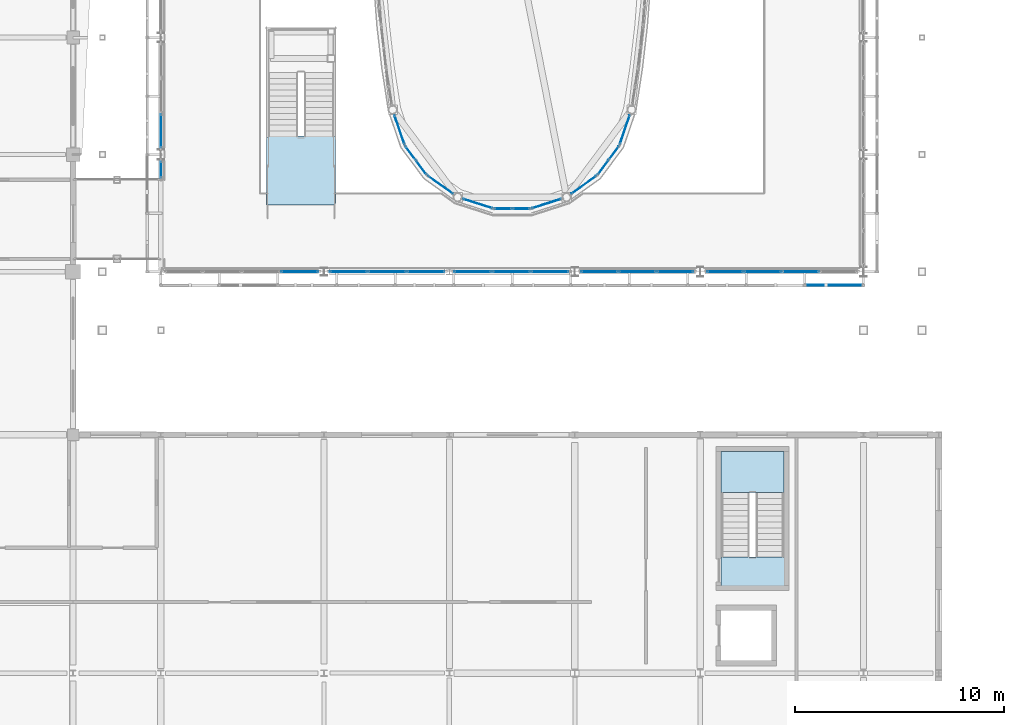
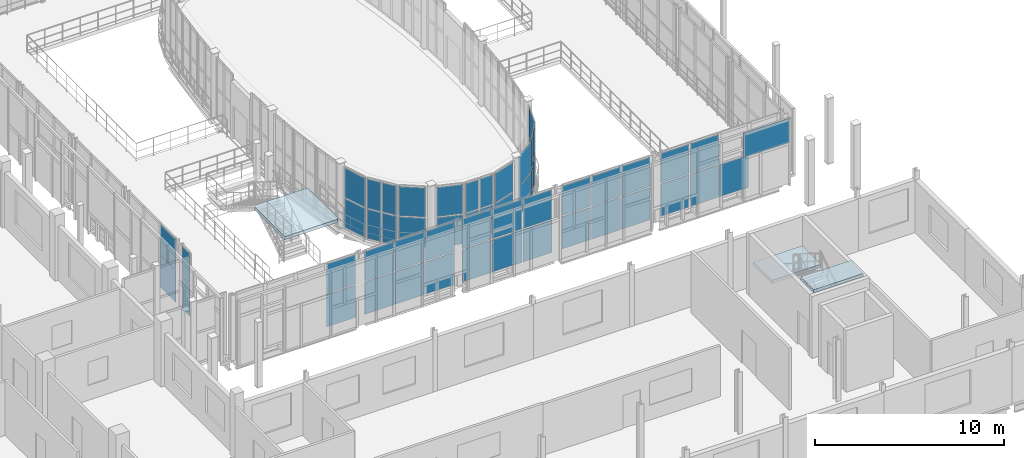
# One storey, part 80 of 121: 54 plates, 3 slabs, 18 elements without a shape of their own.
"""IFC4 building model written with IfcOpenShell, lengths in metres."""

from ifc_helpers import new_model, si_unit, direction, frame, origin, origin_2d, place, context, subcontext, project, spatial, polyline, rectangle, outline, extrude, material, layer, layer_set, type_object, element, aggregate, save


model = new_model("IFC4")

# Units and contexts
model_context = context("Model", 3, precision=1e-05, world=origin(), true_north=direction((0.0, 1.0)))
body_context = subcontext(model_context, "Body", "Model", "MODEL_VIEW")
ifc_project = project(units=[si_unit("LENGTHUNIT", "METRE"), si_unit("AREAUNIT", "SQUARE_METRE"), si_unit("VOLUMEUNIT", "CUBIC_METRE"), si_unit("PLANEANGLEUNIT", "RADIAN"), si_unit("MASSUNIT", "GRAM", prefix="KILO")], contexts=[model_context])

# Site, building, storey
site_placement = place(None, origin())
site = spatial("IfcSite", under=ifc_project, at=site_placement, CompositionType="ELEMENT")
building_placement = place(site_placement, origin())
building = spatial("IfcBuilding", under=site, at=building_placement, Name="Vinh Khe Railworks Police Headquarters", CompositionType="ELEMENT")
storey_placement = place(building_placement, frame((0.0, 0.0, 4.800048828125)))
storey = spatial("IfcBuildingStorey", under=building, at=storey_placement, Name="L01", CompositionType="ELEMENT", Elevation=4.800048828125)

# Curtain wall, plates
ifc_material_1 = material(Name="Anodised aluminium and acoustic laminated glass", Category="aluminium")
ifc_layer_1 = layer(ifc_material_1, 0.159912109375)
ifc_layer_set_1 = layer_set([ifc_layer_1], Name="Anodised aluminium and acoustic laminated glass")
curtain_wall_type_1 = type_object("IfcCurtainWallType", Name="CW-DRUM-CHORD", PredefinedType="USERDEFINED", material=ifc_layer_set_1)
curtain_wall_1_placement = place(storey_placement, origin())
curtain_wall_1 = element("IfcCurtainWall", 1, at=curtain_wall_1_placement, inside=storey, type_object=curtain_wall_type_1, Name="Elliptical Command Drum Glazing L01 Chord 28", ObjectType="DRUM FACADE GLAZING", PredefinedType="USERDEFINED")
ifc_material_2 = material(Name="Acoustic laminated solar-control glass", Category="glass")
ifc_layer_2 = layer(ifc_material_2, 0.031982421875)
ifc_layer_set_2 = layer_set([ifc_layer_2], Name="Acoustic laminated solar-control glass")
plate_type_1 = type_object("IfcPlateType", Name="PAN-DRUM-32", PredefinedType="CURTAIN_PANEL", material=ifc_layer_set_2)
plate_1_placement = place(storey_placement, frame((37.8125, 31.989501953125, 0.06494140625), z_axis=(0.0, 0.0, 1.0), x_axis=(0.322750407381, -0.946484112141, 0.0)))
plate_1 = element("IfcPlate", 2, at=plate_1_placement, type_object=plate_type_1, Name="CW-02 panel 1.1", PredefinedType="CURTAIN_PANEL", context=body_context, shape_type="SweptSolid", body=[
    extrude(rectangle(XDim=1.440673828125, YDim=0.031982421875, at=origin_2d()), origin(), (0.0, 0.0, 1.0), 1.887451171875),
])
plate_2_placement = place(storey_placement, frame((37.8125, 31.989501953125, 2.017578125), z_axis=(0.0, 0.0, 1.0), x_axis=(0.322750407381, -0.946484112141, 0.0)))
plate_2 = element("IfcPlate", 3, at=plate_2_placement, type_object=plate_type_1, Name="CW-02 panel 1.2", PredefinedType="CURTAIN_PANEL", context=body_context, shape_type="SweptSolid", body=[
    extrude(rectangle(XDim=1.440673828125, YDim=0.031982421875, at=origin_2d()), origin(), (0.0, 0.0, 1.0), 1.887451171875),
])
aggregate(curtain_wall_1, [plate_1, plate_2])

curtain_wall_2_placement = place(storey_placement, origin())
curtain_wall_2 = element("IfcCurtainWall", 4, at=curtain_wall_2_placement, inside=storey, type_object=curtain_wall_type_1, Name="Elliptical Command Drum Glazing L01 Chord 29", ObjectType="DRUM FACADE GLAZING", PredefinedType="USERDEFINED")
plate_3_placement = place(storey_placement, frame((38.34326171875, 30.873291015625, 0.06494140625), z_axis=(0.0, 0.0, 1.0), x_axis=(0.596528425784, -0.802591949394, 0.0)))
plate_3 = element("IfcPlate", 5, at=plate_3_placement, type_object=plate_type_1, Name="CW-02 panel 1.1", PredefinedType="CURTAIN_PANEL", context=body_context, shape_type="SweptSolid", body=[
    extrude(rectangle(XDim=0.799560546875, YDim=0.031982421875, at=origin_2d()), origin(), (0.0, 0.0, 1.0), 1.887451171875),
])
plate_4_placement = place(storey_placement, frame((38.34326171875, 30.873291015625, 2.017578125), z_axis=(0.0, 0.0, 1.0), x_axis=(0.596528425784, -0.802591949394, 0.0)))
plate_4 = element("IfcPlate", 6, at=plate_4_placement, type_object=plate_type_1, Name="CW-02 panel 1.2", PredefinedType="CURTAIN_PANEL", context=body_context, shape_type="SweptSolid", body=[
    extrude(rectangle(XDim=0.799560546875, YDim=0.031982421875, at=origin_2d()), origin(), (0.0, 0.0, 1.0), 1.887451171875),
])
plate_5_placement = place(storey_placement, frame((38.85888671875, 30.179443359375, 0.06494140625), z_axis=(0.0, 0.0, 1.0), x_axis=(0.596528425784, -0.802591949394, 0.0)))
plate_5 = element("IfcPlate", 7, at=plate_5_placement, type_object=plate_type_1, Name="CW-02 panel 2.1", PredefinedType="CURTAIN_PANEL", context=body_context, shape_type="SweptSolid", body=[
    extrude(rectangle(XDim=0.799560546875, YDim=0.031982421875, at=origin_2d()), origin(), (0.0, 0.0, 1.0), 1.887451171875),
])
plate_6_placement = place(storey_placement, frame((38.85888671875, 30.179443359375, 2.017578125), z_axis=(0.0, 0.0, 1.0), x_axis=(0.596528425784, -0.802591949394, 0.0)))
plate_6 = element("IfcPlate", 8, at=plate_6_placement, type_object=plate_type_1, Name="CW-02 panel 2.2", PredefinedType="CURTAIN_PANEL", context=body_context, shape_type="SweptSolid", body=[
    extrude(rectangle(XDim=0.799560546875, YDim=0.031982421875, at=origin_2d()), origin(), (0.0, 0.0, 1.0), 1.887451171875),
])
aggregate(curtain_wall_2, [plate_3, plate_4, plate_5, plate_6])

curtain_wall_3_placement = place(storey_placement, origin())
curtain_wall_3 = element("IfcCurtainWall", 9, at=curtain_wall_3_placement, inside=storey, type_object=curtain_wall_type_1, Name="Elliptical Command Drum Glazing L01 Chord 30", ObjectType="DRUM FACADE GLAZING", PredefinedType="USERDEFINED")
plate_7_placement = place(storey_placement, frame((39.774658203125, 29.349365234375, 0.06494140625), z_axis=(0.0, 0.0, 1.0), x_axis=(0.813248377558, -0.581916726344, 0.0)))
plate_7 = element("IfcPlate", 10, at=plate_7_placement, type_object=plate_type_1, Name="CW-02 panel 1.1", PredefinedType="CURTAIN_PANEL", context=body_context, shape_type="SweptSolid", body=[
    extrude(rectangle(XDim=1.440673828125, YDim=0.031982421875, at=origin_2d()), origin(), (0.0, 0.0, 1.0), 1.887451171875),
])
plate_8_placement = place(storey_placement, frame((39.774658203125, 29.349365234375, 2.017578125), z_axis=(0.0, 0.0, 1.0), x_axis=(0.813248377558, -0.581916726344, 0.0)))
plate_8 = element("IfcPlate", 11, at=plate_8_placement, type_object=plate_type_1, Name="CW-02 panel 1.2", PredefinedType="CURTAIN_PANEL", context=body_context, shape_type="SweptSolid", body=[
    extrude(rectangle(XDim=1.440673828125, YDim=0.031982421875, at=origin_2d()), origin(), (0.0, 0.0, 1.0), 1.887451171875),
])
aggregate(curtain_wall_3, [plate_7, plate_8])

curtain_wall_4_placement = place(storey_placement, origin())
curtain_wall_4 = element("IfcCurtainWall", 12, at=curtain_wall_4_placement, inside=storey, type_object=curtain_wall_type_1, Name="Elliptical Command Drum Glazing L01 Chord 31", ObjectType="DRUM FACADE GLAZING", PredefinedType="USERDEFINED")
plate_9_placement = place(storey_placement, frame((41.55517578125, 28.454345703125, 0.06494140625), z_axis=(0.0, 0.0, 1.0), x_axis=(0.952167898055, -0.305575348994, 0.0)))
plate_9 = element("IfcPlate", 13, at=plate_9_placement, type_object=plate_type_1, Name="CW-02 panel 1.1", PredefinedType="CURTAIN_PANEL", context=body_context, shape_type="SweptSolid", body=[
    extrude(rectangle(XDim=1.440673828125, YDim=0.031982421875, at=origin_2d()), origin(), (0.0, 0.0, 1.0), 1.887451171875),
])
plate_10_placement = place(storey_placement, frame((41.55517578125, 28.454345703125, 2.017578125), z_axis=(0.0, 0.0, 1.0), x_axis=(0.952167898055, -0.305575348994, 0.0)))
plate_10 = element("IfcPlate", 14, at=plate_10_placement, type_object=plate_type_1, Name="CW-02 panel 1.2", PredefinedType="CURTAIN_PANEL", context=body_context, shape_type="SweptSolid", body=[
    extrude(rectangle(XDim=1.440673828125, YDim=0.031982421875, at=origin_2d()), origin(), (0.0, 0.0, 1.0), 1.887451171875),
])
aggregate(curtain_wall_4, [plate_9, plate_10])

curtain_wall_5_placement = place(storey_placement, origin())
curtain_wall_5 = element("IfcCurtainWall", 15, at=curtain_wall_5_placement, inside=storey, type_object=curtain_wall_type_1, Name="Elliptical Command Drum Glazing L01 Chord 32", ObjectType="DRUM FACADE GLAZING", PredefinedType="USERDEFINED")
plate_11_placement = place(storey_placement, frame((42.767822265625, 28.21435546875, 0.06494140625), z_axis=(0.0, 0.0, 1.0), x_axis=(1.0, 0.0, 0.0)))
plate_11 = element("IfcPlate", 16, at=plate_11_placement, type_object=plate_type_1, Name="CW-02 panel 1.1", PredefinedType="CURTAIN_PANEL", context=body_context, shape_type="SweptSolid", body=[
    extrude(rectangle(XDim=0.799560546875, YDim=0.031982421875, at=origin_2d()), origin(), (0.0, 0.0, 1.0), 1.887451171875),
])
plate_12_placement = place(storey_placement, frame((42.767822265625, 28.21435546875, 2.017578125), z_axis=(0.0, 0.0, 1.0), x_axis=(1.0, 0.0, 0.0)))
plate_12 = element("IfcPlate", 17, at=plate_12_placement, type_object=plate_type_1, Name="CW-02 panel 1.2", PredefinedType="CURTAIN_PANEL", context=body_context, shape_type="SweptSolid", body=[
    extrude(rectangle(XDim=0.799560546875, YDim=0.031982421875, at=origin_2d()), origin(), (0.0, 0.0, 1.0), 1.887451171875),
])
plate_13_placement = place(storey_placement, frame((43.63232421875, 28.21435546875, 0.06494140625), z_axis=(0.0, 0.0, 1.0), x_axis=(1.0, 0.0, 0.0)))
plate_13 = element("IfcPlate", 18, at=plate_13_placement, type_object=plate_type_1, Name="CW-02 panel 2.1", PredefinedType="CURTAIN_PANEL", context=body_context, shape_type="SweptSolid", body=[
    extrude(rectangle(XDim=0.799560546875, YDim=0.031982421875, at=origin_2d()), origin(), (0.0, 0.0, 1.0), 1.887451171875),
])
plate_14_placement = place(storey_placement, frame((43.63232421875, 28.21435546875, 2.017578125), z_axis=(0.0, 0.0, 1.0), x_axis=(1.0, 0.0, 0.0)))
plate_14 = element("IfcPlate", 19, at=plate_14_placement, type_object=plate_type_1, Name="CW-02 panel 2.2", PredefinedType="CURTAIN_PANEL", context=body_context, shape_type="SweptSolid", body=[
    extrude(rectangle(XDim=0.799560546875, YDim=0.031982421875, at=origin_2d()), origin(), (0.0, 0.0, 1.0), 1.887451171875),
])
aggregate(curtain_wall_5, [plate_11, plate_12, plate_13, plate_14])

curtain_wall_6_placement = place(storey_placement, origin())
curtain_wall_6 = element("IfcCurtainWall", 20, at=curtain_wall_6_placement, inside=storey, type_object=curtain_wall_type_1, Name="Elliptical Command Drum Glazing L01 Chord 33", ObjectType="DRUM FACADE GLAZING", PredefinedType="USERDEFINED")
plate_15_placement = place(storey_placement, frame((44.8447265625, 28.454345703125, 0.06494140625), z_axis=(0.0, 0.0, 1.0), x_axis=(0.952167898055, 0.305575348994, 0.0)))
plate_15 = element("IfcPlate", 21, at=plate_15_placement, type_object=plate_type_1, Name="CW-02 panel 1.1", PredefinedType="CURTAIN_PANEL", context=body_context, shape_type="SweptSolid", body=[
    extrude(rectangle(XDim=1.440673828125, YDim=0.031982421875, at=origin_2d()), origin(), (0.0, 0.0, 1.0), 1.887451171875),
])
plate_16_placement = place(storey_placement, frame((44.8447265625, 28.454345703125, 2.017578125), z_axis=(0.0, 0.0, 1.0), x_axis=(0.952167898055, 0.305575348994, 0.0)))
plate_16 = element("IfcPlate", 22, at=plate_16_placement, type_object=plate_type_1, Name="CW-02 panel 1.2", PredefinedType="CURTAIN_PANEL", context=body_context, shape_type="SweptSolid", body=[
    extrude(rectangle(XDim=1.440673828125, YDim=0.031982421875, at=origin_2d()), origin(), (0.0, 0.0, 1.0), 1.887451171875),
])
aggregate(curtain_wall_6, [plate_15, plate_16])

curtain_wall_7_placement = place(storey_placement, origin())
curtain_wall_7 = element("IfcCurtainWall", 23, at=curtain_wall_7_placement, inside=storey, type_object=curtain_wall_type_1, Name="Elliptical Command Drum Glazing L01 Chord 34", ObjectType="DRUM FACADE GLAZING", PredefinedType="USERDEFINED")
plate_17_placement = place(storey_placement, frame((46.625244140625, 29.349365234375, 0.06494140625), z_axis=(0.0, 0.0, 1.0), x_axis=(0.813248377558, 0.581916726344, 0.0)))
plate_17 = element("IfcPlate", 24, at=plate_17_placement, type_object=plate_type_1, Name="CW-02 panel 1.1", PredefinedType="CURTAIN_PANEL", context=body_context, shape_type="SweptSolid", body=[
    extrude(rectangle(XDim=1.440673828125, YDim=0.031982421875, at=origin_2d()), origin(), (0.0, 0.0, 1.0), 1.887451171875),
])
plate_18_placement = place(storey_placement, frame((46.625244140625, 29.349365234375, 2.017578125), z_axis=(0.0, 0.0, 1.0), x_axis=(0.813248377558, 0.581916726344, 0.0)))
plate_18 = element("IfcPlate", 25, at=plate_18_placement, type_object=plate_type_1, Name="CW-02 panel 1.2", PredefinedType="CURTAIN_PANEL", context=body_context, shape_type="SweptSolid", body=[
    extrude(rectangle(XDim=1.440673828125, YDim=0.031982421875, at=origin_2d()), origin(), (0.0, 0.0, 1.0), 1.887451171875),
])
aggregate(curtain_wall_7, [plate_17, plate_18])

curtain_wall_8_placement = place(storey_placement, origin())
curtain_wall_8 = element("IfcCurtainWall", 26, at=curtain_wall_8_placement, inside=storey, type_object=curtain_wall_type_1, Name="Elliptical Command Drum Glazing L01 Chord 35", ObjectType="DRUM FACADE GLAZING", PredefinedType="USERDEFINED")
plate_19_placement = place(storey_placement, frame((47.541259765625, 30.179443359375, 0.06494140625), z_axis=(0.0, 0.0, 1.0), x_axis=(0.596528425784, 0.802591949394, 0.0)))
plate_19 = element("IfcPlate", 27, at=plate_19_placement, type_object=plate_type_1, Name="CW-02 panel 1.1", PredefinedType="CURTAIN_PANEL", context=body_context, shape_type="SweptSolid", body=[
    extrude(rectangle(XDim=0.799560546875, YDim=0.031982421875, at=origin_2d()), origin(), (0.0, 0.0, 1.0), 1.887451171875),
])
plate_20_placement = place(storey_placement, frame((47.541259765625, 30.179443359375, 2.017578125), z_axis=(0.0, 0.0, 1.0), x_axis=(0.596528425784, 0.802591949394, 0.0)))
plate_20 = element("IfcPlate", 28, at=plate_20_placement, type_object=plate_type_1, Name="CW-02 panel 1.2", PredefinedType="CURTAIN_PANEL", context=body_context, shape_type="SweptSolid", body=[
    extrude(rectangle(XDim=0.799560546875, YDim=0.031982421875, at=origin_2d()), origin(), (0.0, 0.0, 1.0), 1.887451171875),
])
plate_21_placement = place(storey_placement, frame((48.056884765625, 30.873291015625, 0.06494140625), z_axis=(0.0, 0.0, 1.0), x_axis=(0.596528425784, 0.802591949394, 0.0)))
plate_21 = element("IfcPlate", 29, at=plate_21_placement, type_object=plate_type_1, Name="CW-02 panel 2.1", PredefinedType="CURTAIN_PANEL", context=body_context, shape_type="SweptSolid", body=[
    extrude(rectangle(XDim=0.799560546875, YDim=0.031982421875, at=origin_2d()), origin(), (0.0, 0.0, 1.0), 1.887451171875),
])
plate_22_placement = place(storey_placement, frame((48.056884765625, 30.873291015625, 2.017578125), z_axis=(0.0, 0.0, 1.0), x_axis=(0.596528425784, 0.802591949394, 0.0)))
plate_22 = element("IfcPlate", 30, at=plate_22_placement, type_object=plate_type_1, Name="CW-02 panel 2.2", PredefinedType="CURTAIN_PANEL", context=body_context, shape_type="SweptSolid", body=[
    extrude(rectangle(XDim=0.799560546875, YDim=0.031982421875, at=origin_2d()), origin(), (0.0, 0.0, 1.0), 1.887451171875),
])
aggregate(curtain_wall_8, [plate_19, plate_20, plate_21, plate_22])

curtain_wall_9_placement = place(storey_placement, origin())
curtain_wall_9 = element("IfcCurtainWall", 31, at=curtain_wall_9_placement, inside=storey, type_object=curtain_wall_type_1, Name="Elliptical Command Drum Glazing L01 Chord 36", ObjectType="DRUM FACADE GLAZING", PredefinedType="USERDEFINED")
plate_23_placement = place(storey_placement, frame((48.587646484375, 31.989501953125, 0.06494140625), z_axis=(0.0, 0.0, 1.0), x_axis=(0.322750407381, 0.946484112141, 0.0)))
plate_23 = element("IfcPlate", 32, at=plate_23_placement, type_object=plate_type_1, Name="CW-02 panel 1.1", PredefinedType="CURTAIN_PANEL", context=body_context, shape_type="SweptSolid", body=[
    extrude(rectangle(XDim=1.440673828125, YDim=0.031982421875, at=origin_2d()), origin(), (0.0, 0.0, 1.0), 1.887451171875),
])
plate_24_placement = place(storey_placement, frame((48.587646484375, 31.989501953125, 2.017578125), z_axis=(0.0, 0.0, 1.0), x_axis=(0.322750407381, 0.946484112141, 0.0)))
plate_24 = element("IfcPlate", 33, at=plate_24_placement, type_object=plate_type_1, Name="CW-02 panel 1.2", PredefinedType="CURTAIN_PANEL", context=body_context, shape_type="SweptSolid", body=[
    extrude(rectangle(XDim=1.440673828125, YDim=0.031982421875, at=origin_2d()), origin(), (0.0, 0.0, 1.0), 1.887451171875),
])
aggregate(curtain_wall_9, [plate_23, plate_24])

ifc_material_3 = material(Name="Anodised aluminium and low-iron glass", Category="aluminium")
ifc_layer_3 = layer(ifc_material_3, 0.179931640625)
ifc_layer_set_3 = layer_set([ifc_layer_3], Name="Anodised aluminium and low-iron glass")
curtain_wall_type_2 = type_object("IfcCurtainWallType", Name="CW-CUBE-UNIT", PredefinedType="USERDEFINED", material=ifc_layer_set_3)
curtain_wall_10_placement = place(storey_placement, origin())
curtain_wall_10 = element("IfcCurtainWall", 34, at=curtain_wall_10_placement, inside=storey, type_object=curtain_wall_type_2, Name="Entrance Hall Curtain Wall L01 S-1", ObjectType="UNITISED GLAZING", PredefinedType="USERDEFINED")
ifc_material_4 = material(Name="Low-iron laminated solar-control glass", Category="glass")
ifc_layer_4 = layer(ifc_material_4, 0.028076171875)
ifc_layer_set_4 = layer_set([ifc_layer_4], Name="Low-iron laminated solar-control glass")
plate_type_2 = type_object("IfcPlateType", Name="PAN-GLZ-28", PredefinedType="CURTAIN_PANEL", material=ifc_layer_set_4)
plate_25_placement = place(storey_placement, frame((33.0380859375, 25.199951171875, 0.06982421875), z_axis=(0.0, 0.0, 1.0), x_axis=(1.0, 0.0, 0.0)))
plate_25 = element("IfcPlate", 35, at=plate_25_placement, type_object=plate_type_2, Name="CW-01 panel 4.1", PredefinedType="CURTAIN_PANEL", context=body_context, shape_type="SweptSolid", body=[
    extrude(rectangle(XDim=1.753662109375, YDim=0.028076171875, at=origin_2d()), origin(), (0.0, 0.0, 1.0), 2.0791015625),
])
plate_26_placement = place(storey_placement, frame((33.0380859375, 25.199951171875, 2.21923828125), z_axis=(0.0, 0.0, 1.0), x_axis=(1.0, 0.0, 0.0)))
plate_26 = element("IfcPlate", 36, at=plate_26_placement, type_object=plate_type_2, Name="CW-01 panel 4.2", PredefinedType="CURTAIN_PANEL", context=body_context, shape_type="SweptSolid", body=[
    extrude(rectangle(XDim=1.753662109375, YDim=0.028076171875, at=origin_2d()), origin(), (0.0, 0.0, 1.0), 1.910888671875),
])
aggregate(curtain_wall_10, [plate_25, plate_26])

curtain_wall_11_placement = place(storey_placement, origin())
curtain_wall_11 = element("IfcCurtainWall", 37, at=curtain_wall_11_placement, inside=storey, type_object=curtain_wall_type_2, Name="Entrance Hall Curtain Wall L01 S-2", ObjectType="UNITISED GLAZING", PredefinedType="USERDEFINED")
plate_27_placement = place(storey_placement, frame((35.368408203125, 25.199951171875, 0.06982421875), z_axis=(0.0, 0.0, 1.0), x_axis=(1.0, 0.0, 0.0)))
plate_27 = element("IfcPlate", 38, at=plate_27_placement, type_object=plate_type_2, Name="CW-01 panel 1.1", PredefinedType="CURTAIN_PANEL", context=body_context, shape_type="SweptSolid", body=[
    extrude(rectangle(XDim=1.7666015625, YDim=0.028076171875, at=origin_2d()), origin(), (0.0, 0.0, 1.0), 2.0791015625),
])
plate_28_placement = place(storey_placement, frame((35.368408203125, 25.199951171875, 2.21923828125), z_axis=(0.0, 0.0, 1.0), x_axis=(1.0, 0.0, 0.0)))
plate_28 = element("IfcPlate", 39, at=plate_28_placement, type_object=plate_type_2, Name="CW-01 panel 1.2", PredefinedType="CURTAIN_PANEL", context=body_context, shape_type="SweptSolid", body=[
    extrude(rectangle(XDim=1.7666015625, YDim=0.028076171875, at=origin_2d()), origin(), (0.0, 0.0, 1.0), 1.910888671875),
])
plate_29_placement = place(storey_placement, frame((37.222412109375, 25.199951171875, 0.06982421875), z_axis=(0.0, 0.0, 1.0), x_axis=(1.0, 0.0, 0.0)))
plate_29 = element("IfcPlate", 40, at=plate_29_placement, type_object=plate_type_2, Name="CW-01 panel 2.1", PredefinedType="CURTAIN_PANEL", context=body_context, shape_type="SweptSolid", body=[
    extrude(rectangle(XDim=1.8017578125, YDim=0.028076171875, at=origin_2d()), origin(), (0.0, 0.0, 1.0), 2.0791015625),
])
plate_30_placement = place(storey_placement, frame((37.222412109375, 25.199951171875, 2.21923828125), z_axis=(0.0, 0.0, 1.0), x_axis=(1.0, 0.0, 0.0)))
plate_30 = element("IfcPlate", 41, at=plate_30_placement, type_object=plate_type_2, Name="CW-01 panel 2.2", PredefinedType="CURTAIN_PANEL", context=body_context, shape_type="SweptSolid", body=[
    extrude(rectangle(XDim=1.8017578125, YDim=0.028076171875, at=origin_2d()), origin(), (0.0, 0.0, 1.0), 1.910888671875),
])
plate_31_placement = place(storey_placement, frame((39.07666015625, 25.199951171875, 0.06982421875), z_axis=(0.0, 0.0, 1.0), x_axis=(1.0, 0.0, 0.0)))
plate_31 = element("IfcPlate", 42, at=plate_31_placement, type_object=plate_type_2, Name="CW-01 panel 3.1", PredefinedType="CURTAIN_PANEL", context=body_context, shape_type="SweptSolid", body=[
    extrude(rectangle(XDim=1.7666015625, YDim=0.028076171875, at=origin_2d()), origin(), (0.0, 0.0, 1.0), 2.0791015625),
])
plate_32_placement = place(storey_placement, frame((39.07666015625, 25.199951171875, 2.21923828125), z_axis=(0.0, 0.0, 1.0), x_axis=(1.0, 0.0, 0.0)))
plate_32 = element("IfcPlate", 43, at=plate_32_placement, type_object=plate_type_2, Name="CW-01 panel 3.2", PredefinedType="CURTAIN_PANEL", context=body_context, shape_type="SweptSolid", body=[
    extrude(rectangle(XDim=1.7666015625, YDim=0.028076171875, at=origin_2d()), origin(), (0.0, 0.0, 1.0), 1.910888671875),
])
aggregate(curtain_wall_11, [plate_27, plate_28, plate_29, plate_30, plate_31, plate_32])

curtain_wall_12_placement = place(storey_placement, origin())
curtain_wall_12 = element("IfcCurtainWall", 44, at=curtain_wall_12_placement, inside=storey, type_object=curtain_wall_type_2, Name="Entrance Hall Curtain Wall L01 S-3", ObjectType="UNITISED GLAZING", PredefinedType="USERDEFINED")
plate_33_placement = place(storey_placement, frame((41.319091796875, 25.199951171875, 0.06982421875), z_axis=(0.0, 0.0, 1.0), x_axis=(1.0, 0.0, 0.0)))
plate_33 = element("IfcPlate", 45, at=plate_33_placement, type_object=plate_type_2, Name="CW-01 panel 1.1", PredefinedType="CURTAIN_PANEL", context=body_context, shape_type="SweptSolid", body=[
    extrude(rectangle(XDim=1.75830078125, YDim=0.028076171875, at=origin_2d()), origin(), (0.0, 0.0, 1.0), 2.0791015625),
])
plate_34_placement = place(storey_placement, frame((41.319091796875, 25.199951171875, 2.21923828125), z_axis=(0.0, 0.0, 1.0), x_axis=(1.0, 0.0, 0.0)))
plate_34 = element("IfcPlate", 46, at=plate_34_placement, type_object=plate_type_2, Name="CW-01 panel 1.2", PredefinedType="CURTAIN_PANEL", context=body_context, shape_type="SweptSolid", body=[
    extrude(rectangle(XDim=1.75830078125, YDim=0.028076171875, at=origin_2d()), origin(), (0.0, 0.0, 1.0), 1.910888671875),
])
plate_35_placement = place(storey_placement, frame((43.1650390625, 25.199951171875, 0.06982421875), z_axis=(0.0, 0.0, 1.0), x_axis=(1.0, 0.0, 0.0)))
plate_35 = element("IfcPlate", 47, at=plate_35_placement, type_object=plate_type_2, Name="CW-01 panel 2.1", PredefinedType="CURTAIN_PANEL", context=body_context, shape_type="SweptSolid", body=[
    extrude(rectangle(XDim=1.793212890625, YDim=0.028076171875, at=origin_2d()), origin(), (0.0, 0.0, 1.0), 2.0791015625),
])
plate_36_placement = place(storey_placement, frame((43.1650390625, 25.199951171875, 2.21923828125), z_axis=(0.0, 0.0, 1.0), x_axis=(1.0, 0.0, 0.0)))
plate_36 = element("IfcPlate", 48, at=plate_36_placement, type_object=plate_type_2, Name="CW-01 panel 2.2", PredefinedType="CURTAIN_PANEL", context=body_context, shape_type="SweptSolid", body=[
    extrude(rectangle(XDim=1.793212890625, YDim=0.028076171875, at=origin_2d()), origin(), (0.0, 0.0, 1.0), 1.910888671875),
])
plate_37_placement = place(storey_placement, frame((45.0107421875, 25.199951171875, 0.06982421875), z_axis=(0.0, 0.0, 1.0), x_axis=(1.0, 0.0, 0.0)))
plate_37 = element("IfcPlate", 49, at=plate_37_placement, type_object=plate_type_2, Name="CW-01 panel 3.1", PredefinedType="CURTAIN_PANEL", context=body_context, shape_type="SweptSolid", body=[
    extrude(rectangle(XDim=1.75830078125, YDim=0.028076171875, at=origin_2d()), origin(), (0.0, 0.0, 1.0), 2.0791015625),
])
plate_38_placement = place(storey_placement, frame((45.0107421875, 25.199951171875, 2.21923828125), z_axis=(0.0, 0.0, 1.0), x_axis=(1.0, 0.0, 0.0)))
plate_38 = element("IfcPlate", 50, at=plate_38_placement, type_object=plate_type_2, Name="CW-01 panel 3.2", PredefinedType="CURTAIN_PANEL", context=body_context, shape_type="SweptSolid", body=[
    extrude(rectangle(XDim=1.75830078125, YDim=0.028076171875, at=origin_2d()), origin(), (0.0, 0.0, 1.0), 1.910888671875),
])
aggregate(curtain_wall_12, [plate_33, plate_34, plate_35, plate_36, plate_37, plate_38])

curtain_wall_13_placement = place(storey_placement, origin())
curtain_wall_13 = element("IfcCurtainWall", 51, at=curtain_wall_13_placement, inside=storey, type_object=curtain_wall_type_2, Name="Entrance Hall Curtain Wall L01 S-4", ObjectType="UNITISED GLAZING", PredefinedType="USERDEFINED")
plate_39_placement = place(storey_placement, frame((47.373291015625, 25.199951171875, 0.06982421875), z_axis=(0.0, 0.0, 1.0), x_axis=(1.0, 0.0, 0.0)))
plate_39 = element("IfcPlate", 52, at=plate_39_placement, type_object=plate_type_2, Name="CW-01 panel 1.1", PredefinedType="CURTAIN_PANEL", context=body_context, shape_type="SweptSolid", body=[
    extrude(rectangle(XDim=1.7265625, YDim=0.028076171875, at=origin_2d()), origin(), (0.0, 0.0, 1.0), 2.0791015625),
])
plate_40_placement = place(storey_placement, frame((47.373291015625, 25.199951171875, 2.21923828125), z_axis=(0.0, 0.0, 1.0), x_axis=(1.0, 0.0, 0.0)))
plate_40 = element("IfcPlate", 53, at=plate_40_placement, type_object=plate_type_2, Name="CW-01 panel 1.2", PredefinedType="CURTAIN_PANEL", context=body_context, shape_type="SweptSolid", body=[
    extrude(rectangle(XDim=1.7265625, YDim=0.028076171875, at=origin_2d()), origin(), (0.0, 0.0, 1.0), 1.910888671875),
])
plate_41_placement = place(storey_placement, frame((49.1875, 25.199951171875, 0.06982421875), z_axis=(0.0, 0.0, 1.0), x_axis=(1.0, 0.0, 0.0)))
plate_41 = element("IfcPlate", 54, at=plate_41_placement, type_object=plate_type_2, Name="CW-01 panel 2.1", PredefinedType="CURTAIN_PANEL", context=body_context, shape_type="SweptSolid", body=[
    extrude(rectangle(XDim=1.76171875, YDim=0.028076171875, at=origin_2d()), origin(), (0.0, 0.0, 1.0), 2.0791015625),
])
plate_42_placement = place(storey_placement, frame((49.1875, 25.199951171875, 2.21923828125), z_axis=(0.0, 0.0, 1.0), x_axis=(1.0, 0.0, 0.0)))
plate_42 = element("IfcPlate", 55, at=plate_42_placement, type_object=plate_type_2, Name="CW-01 panel 2.2", PredefinedType="CURTAIN_PANEL", context=body_context, shape_type="SweptSolid", body=[
    extrude(rectangle(XDim=1.76171875, YDim=0.028076171875, at=origin_2d()), origin(), (0.0, 0.0, 1.0), 1.910888671875),
])
plate_43_placement = place(storey_placement, frame((51.001708984375, 25.199951171875, 0.06982421875), z_axis=(0.0, 0.0, 1.0), x_axis=(1.0, 0.0, 0.0)))
plate_43 = element("IfcPlate", 56, at=plate_43_placement, type_object=plate_type_2, Name="CW-01 panel 3.1", PredefinedType="CURTAIN_PANEL", context=body_context, shape_type="SweptSolid", body=[
    extrude(rectangle(XDim=1.7265625, YDim=0.028076171875, at=origin_2d()), origin(), (0.0, 0.0, 1.0), 2.0791015625),
])
plate_44_placement = place(storey_placement, frame((51.001708984375, 25.199951171875, 2.21923828125), z_axis=(0.0, 0.0, 1.0), x_axis=(1.0, 0.0, 0.0)))
plate_44 = element("IfcPlate", 57, at=plate_44_placement, type_object=plate_type_2, Name="CW-01 panel 3.2", PredefinedType="CURTAIN_PANEL", context=body_context, shape_type="SweptSolid", body=[
    extrude(rectangle(XDim=1.7265625, YDim=0.028076171875, at=origin_2d()), origin(), (0.0, 0.0, 1.0), 1.910888671875),
])
aggregate(curtain_wall_13, [plate_39, plate_40, plate_41, plate_42, plate_43, plate_44])

curtain_wall_14_placement = place(storey_placement, origin())
curtain_wall_14 = element("IfcCurtainWall", 58, at=curtain_wall_14_placement, inside=storey, type_object=curtain_wall_type_2, Name="Entrance Hall Curtain Wall L01 S-5", ObjectType="UNITISED GLAZING", PredefinedType="USERDEFINED")
plate_45_placement = place(storey_placement, frame((53.391357421875, 25.199951171875, 0.06982421875), z_axis=(0.0, 0.0, 1.0), x_axis=(1.0, 0.0, 0.0)))
plate_45 = element("IfcPlate", 59, at=plate_45_placement, type_object=plate_type_2, Name="CW-01 panel 1.1", PredefinedType="CURTAIN_PANEL", context=body_context, shape_type="SweptSolid", body=[
    extrude(rectangle(XDim=1.71240234375, YDim=0.028076171875, at=origin_2d()), origin(), (0.0, 0.0, 1.0), 2.0791015625),
])
plate_46_placement = place(storey_placement, frame((53.391357421875, 25.199951171875, 2.21923828125), z_axis=(0.0, 0.0, 1.0), x_axis=(1.0, 0.0, 0.0)))
plate_46 = element("IfcPlate", 60, at=plate_46_placement, type_object=plate_type_2, Name="CW-01 panel 1.2", PredefinedType="CURTAIN_PANEL", context=body_context, shape_type="SweptSolid", body=[
    extrude(rectangle(XDim=1.71240234375, YDim=0.028076171875, at=origin_2d()), origin(), (0.0, 0.0, 1.0), 1.910888671875),
])
plate_47_placement = place(storey_placement, frame((55.191162109375, 25.199951171875, 0.06982421875), z_axis=(0.0, 0.0, 1.0), x_axis=(1.0, 0.0, 0.0)))
plate_47 = element("IfcPlate", 61, at=plate_47_placement, type_object=plate_type_2, Name="CW-01 panel 2.1", PredefinedType="CURTAIN_PANEL", context=body_context, shape_type="SweptSolid", body=[
    extrude(rectangle(XDim=1.74755859375, YDim=0.028076171875, at=origin_2d()), origin(), (0.0, 0.0, 1.0), 2.0791015625),
])
plate_48_placement = place(storey_placement, frame((55.191162109375, 25.199951171875, 2.21923828125), z_axis=(0.0, 0.0, 1.0), x_axis=(1.0, 0.0, 0.0)))
plate_48 = element("IfcPlate", 62, at=plate_48_placement, type_object=plate_type_2, Name="CW-01 panel 2.2", PredefinedType="CURTAIN_PANEL", context=body_context, shape_type="SweptSolid", body=[
    extrude(rectangle(XDim=1.74755859375, YDim=0.028076171875, at=origin_2d()), origin(), (0.0, 0.0, 1.0), 1.910888671875),
])
plate_49_placement = place(storey_placement, frame((57.0087890625, 25.199951171875, 0.06982421875), z_axis=(0.0, 0.0, 1.0), x_axis=(1.0, 0.0, 0.0)))
plate_49 = element("IfcPlate", 63, at=plate_49_placement, type_object=plate_type_2, Name="CW-01 panel 3.1", PredefinedType="CURTAIN_PANEL", context=body_context, shape_type="SweptSolid", body=[
    extrude(rectangle(XDim=1.74755859375, YDim=0.028076171875, at=origin_2d()), origin(), (0.0, 0.0, 1.0), 2.0791015625),
])
aggregate(curtain_wall_14, [plate_45, plate_46, plate_47, plate_48, plate_49])

curtain_wall_15_placement = place(storey_placement, origin())
curtain_wall_15 = element("IfcCurtainWall", 64, at=curtain_wall_15_placement, inside=storey, type_object=curtain_wall_type_2, Name="Entrance Hall Curtain Wall L01 W-1N", ObjectType="UNITISED GLAZING", PredefinedType="USERDEFINED")
plate_50_placement = place(storey_placement, frame((26.39990234375, 30.077392578125, 0.06982421875), z_axis=(0.0, 0.0, 1.0), x_axis=(0.0, 1.0, 0.0)))
plate_50 = element("IfcPlate", 65, at=plate_50_placement, type_object=plate_type_2, Name="CW-01 panel 1.1", PredefinedType="CURTAIN_PANEL", context=body_context, shape_type="SweptSolid", body=[
    extrude(rectangle(XDim=0.77490234375, YDim=0.028076171875, at=origin_2d()), origin(), (0.0, 0.0, 1.0), 2.0791015625),
])
plate_51_placement = place(storey_placement, frame((26.39990234375, 30.077392578125, 2.21923828125), z_axis=(0.0, 0.0, 1.0), x_axis=(0.0, 1.0, 0.0)))
plate_51 = element("IfcPlate", 66, at=plate_51_placement, type_object=plate_type_2, Name="CW-01 panel 1.2", PredefinedType="CURTAIN_PANEL", context=body_context, shape_type="SweptSolid", body=[
    extrude(rectangle(XDim=0.77490234375, YDim=0.028076171875, at=origin_2d()), origin(), (0.0, 0.0, 1.0), 1.910888671875),
])
aggregate(curtain_wall_15, [plate_50, plate_51])

curtain_wall_16_placement = place(storey_placement, origin())
curtain_wall_16 = element("IfcCurtainWall", 67, at=curtain_wall_16_placement, inside=storey, type_object=curtain_wall_type_2, Name="Entrance Hall Curtain Wall L01 W-2", ObjectType="UNITISED GLAZING", PredefinedType="USERDEFINED")
plate_52_placement = place(storey_placement, frame((26.39990234375, 31.931640625, 0.06982421875), z_axis=(0.0, 0.0, 1.0), x_axis=(0.0, 1.0, 0.0)))
plate_52 = element("IfcPlate", 68, at=plate_52_placement, type_object=plate_type_2, Name="CW-01 panel 1.1", PredefinedType="CURTAIN_PANEL", context=body_context, shape_type="SweptSolid", body=[
    extrude(rectangle(XDim=1.59326171875, YDim=0.028076171875, at=origin_2d()), origin(), (0.0, 0.0, 1.0), 2.0791015625),
])
plate_53_placement = place(storey_placement, frame((26.39990234375, 31.931640625, 2.21923828125), z_axis=(0.0, 0.0, 1.0), x_axis=(0.0, 1.0, 0.0)))
plate_53 = element("IfcPlate", 69, at=plate_53_placement, type_object=plate_type_2, Name="CW-01 panel 1.2", PredefinedType="CURTAIN_PANEL", context=body_context, shape_type="SweptSolid", body=[
    extrude(rectangle(XDim=1.59326171875, YDim=0.028076171875, at=origin_2d()), origin(), (0.0, 0.0, 1.0), 1.910888671875),
])
aggregate(curtain_wall_16, [plate_52, plate_53])

# Plate
ifc_material_5 = material(Name="Weathered architectural steel", Category="steel")
ifc_layer_5 = layer(ifc_material_5, 0.044921875)
ifc_layer_set_5 = layer_set([ifc_layer_5], Name="Weathered architectural steel")
plate_type_3 = type_object("IfcPlateType", Name="PLT-QP-02", PredefinedType="SHEET", material=ifc_layer_set_5)
plate_54_placement = place(storey_placement, frame((58.60009765625, 24.550048828125, 2.60400390625), z_axis=(0.0, 0.0, 1.0), x_axis=(1.0, 0.0, 0.0)))
element("IfcPlate", 70, at=plate_54_placement, inside=storey, type_object=plate_type_3, Name="Weathered Steel Casement Spandrel S-12", PredefinedType="SHEET", context=body_context, shape_type="SweptSolid", body=[
    extrude(rectangle(XDim=2.800048828125, YDim=0.044921875, at=origin_2d()), origin(), (0.0, 0.0, 1.0), 1.595947265625),
])

# Stair, slabs
ifc_material_6 = material(Name="Precast concrete C40/50 (B40)", Category="concrete")
stair_type_1 = type_object("IfcStairType", Name="ST-CORE-DOGLEG", PredefinedType="HALF_TURN_STAIR", material=ifc_material_6)
stair_1_placement = place(storey_placement, origin())
stair_1 = element("IfcStair", 71, at=stair_1_placement, inside=storey, type_object=stair_type_1, Name="L01 Escape Stair ST-05", PredefinedType="HALF_TURN_STAIR")
ifc_material_7 = material(Name="Concrete C35/45 (B35)", Category="concrete")
ifc_layer_6 = layer(ifc_material_7, 0.199951171875)
ifc_layer_set_6 = layer_set([ifc_layer_6], Name="Concrete C35/45 (B35)")
slab_type = type_object("IfcSlabType", Name="SLB-LAND-200", PredefinedType="LANDING", material=ifc_layer_set_6)
slab_1_placement = place(storey_placement, frame((0.0, 0.0, 1.89990234375)))
slab_1 = element("IfcSlab", 72, at=slab_1_placement, type_object=slab_type, Name="ST-05 landing 1", PredefinedType="LANDING", context=body_context, shape_type="SweptSolid", body=[
    extrude(outline(polyline([(56.199951171875, 14.6298828125), (56.199951171875, 16.60009765625), (53.199951171875, 16.60009765625), (53.199951171875, 14.6298828125), (56.199951171875, 14.6298828125)])), origin(), (0.0, 0.0, 1.0), 0.199951171875),
])
slab_2_placement = place(storey_placement, frame((0.0, 0.0, 4.0)))
slab_2 = element("IfcSlab", 73, at=slab_2_placement, type_object=slab_type, Name="ST-05 landing 2", PredefinedType="LANDING", context=body_context, shape_type="SweptSolid", body=[
    extrude(outline(polyline([(53.179931640625, 10.179931640625), (56.219970703125, 10.179931640625), (56.219970703125, 11.56005859375), (53.179931640625, 11.56005859375), (53.179931640625, 10.179931640625)])), origin(), (0.0, 0.0, 1.0), 0.199951171875),
])
aggregate(stair_1, [slab_1, slab_2])

# Stair, slab
ifc_material_8 = material(Name="Steel S355JR", Category="steel")
stair_type_2 = type_object("IfcStairType", Name="ST-HALL-FEATURE", PredefinedType="HALF_TURN_STAIR", material=ifc_material_8)
stair_2_placement = place(storey_placement, origin())
stair_2 = element("IfcStair", 74, at=stair_2_placement, inside=storey, type_object=stair_type_2, Name="L01 Concourse Feature Stair ST-08", PredefinedType="HALF_TURN_STAIR")
slab_3_placement = place(storey_placement, frame((0.0, 0.0, 4.0)))
slab_3 = element("IfcSlab", 75, at=slab_3_placement, type_object=slab_type, Name="ST-08 landing 2", PredefinedType="LANDING", context=body_context, shape_type="SweptSolid", body=[
    extrude(outline(polyline([(31.449951171875, 28.3798828125), (34.64990234375, 28.3798828125), (34.75, 28.47998046875), (34.75, 31.679931640625), (31.550048828125, 31.679931640625), (31.449951171875, 31.580078125), (31.449951171875, 28.3798828125)])), origin(), (0.0, 0.0, 1.0), 0.199951171875),
])
aggregate(stair_2, [slab_3])

save(model, "model.ifc")
